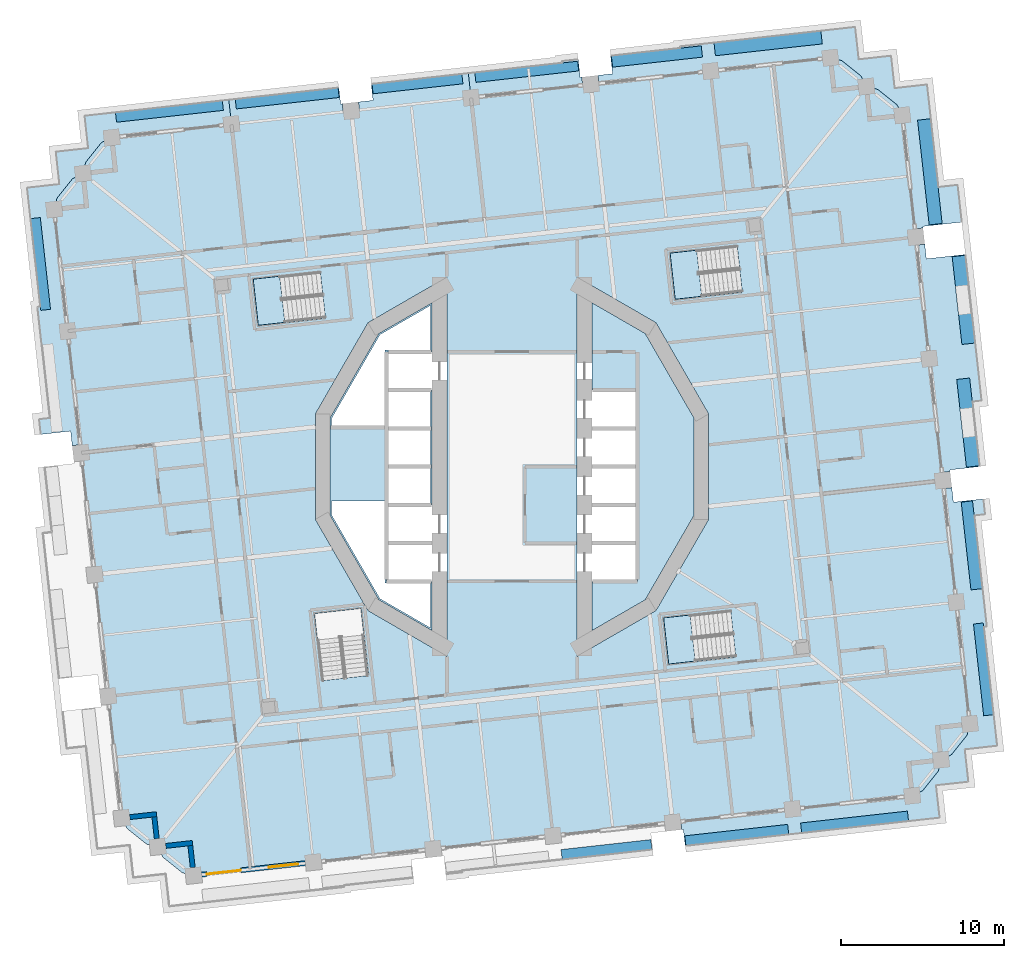
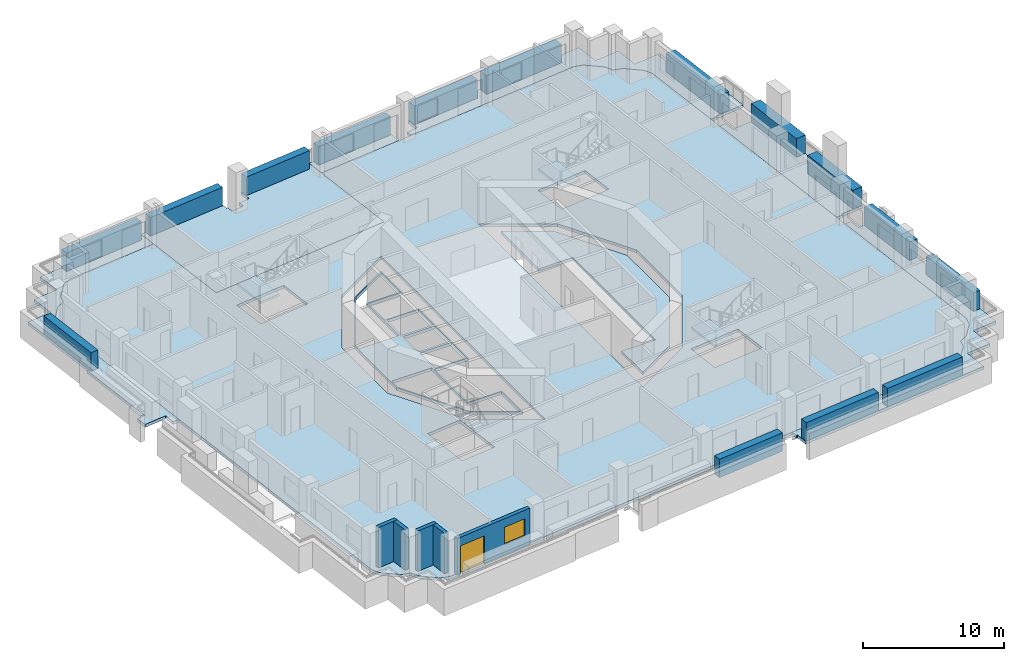
# One storey, part 3 of 19: 15 plates, 12 slabs, 5 walls, 1 door, 1 window, 2 openings, 3 elements without a shape of their own.
"""IFC4 building model written with IfcOpenShell, lengths in metres."""

from ifc_helpers import new_model, si_unit, direction, frame, frame_2d, origin, origin_2d, place, context, subcontext, project, spatial, polyline, rectangle, outline, extrude, material, layer, layer_set, type_object, element, fill, aggregate, save


model = new_model("IFC4")

# Units and contexts
model_context = context("Model", 3, precision=1e-05, world=origin(), true_north=direction((0.0, 1.0)))
body_context = subcontext(model_context, "Body", "Model", "MODEL_VIEW")
ifc_project = project(units=[si_unit("LENGTHUNIT", "METRE"), si_unit("AREAUNIT", "SQUARE_METRE"), si_unit("VOLUMEUNIT", "CUBIC_METRE"), si_unit("PLANEANGLEUNIT", "RADIAN"), si_unit("MASSUNIT", "GRAM", prefix="KILO")], contexts=[model_context])

# Site, building, storey
site_placement = place(None, origin())
site = spatial("IfcSite", under=ifc_project, at=site_placement, CompositionType="ELEMENT")
building_placement = place(site_placement, origin())
building = spatial("IfcBuilding", under=site, at=building_placement, Name="Cantera Rosa Tower", CompositionType="ELEMENT")
storey_placement = place(building_placement, frame((0.0, 0.0, 53.89990234375)))
storey = spatial("IfcBuildingStorey", under=building, at=storey_placement, Name="L10", CompositionType="ELEMENT", Elevation=53.89990234375)

# Slabs
ifc_material_1 = material(Name="Concrete C35/45", Category="concrete")
ifc_layer_1 = layer(ifc_material_1, 0.25)
ifc_layer_set_1 = layer_set([ifc_layer_1], Name="COMPOSITE FLOOR SLAB 250 C35/45")
slab_type_1 = type_object("IfcSlabType", Name="COMPOSITE FLOOR SLAB 250 C35/45", PredefinedType="FLOOR", material=ifc_layer_set_1)
slab_1_placement = place(storey_placement, frame((0.0, 0.0, -0.25)))
element("IfcSlab", 1, at=slab_1_placement, inside=storey, type_object=slab_type_1, Name="SLAB L10 floor 1", PredefinedType="FLOOR", context=body_context, shape_type="SweptSolid", body=[
    extrude(outline(polyline([(-4.89990234375, -10.07373046875), (-8.179931640625, -8.179931640625), (-11.174072265625, -2.994140625), (-11.174072265625, 2.994140625), (-8.179931640625, 8.179931640625), (-4.89990234375, 10.07373046875), (-4.89990234375, 7.050048828125), (-7.699951171875, 7.050048828125), (-7.699951171875, 4.699951171875), (-4.89990234375, 4.699951171875), (-4.89990234375, -2.35009765625), (-7.699951171875, -2.35009765625), (-7.699951171875, -4.699951171875), (-7.699951171875, -7.050048828125), (-4.89990234375, -7.050048828125), (-4.89990234375, -10.07373046875)]), holes=[polyline([(-7.800048828125, -7.14990234375), (-7.800048828125, -2.449951171875), (-7.800048828125, -2.25), (-7.800048828125, -2.11474609375), (-11.07421875, -2.11474609375), (-11.07421875, -2.96728515625), (-8.106689453125, -8.106689453125), (-5.0, -9.900390625), (-5.0, -7.14990234375), (-7.800048828125, -7.14990234375)]), polyline([(-5.0, -0.10009765625), (-7.60009765625, -0.10009765625), (-7.60009765625, -2.25), (-5.0, -2.25), (-5.0, -0.10009765625)]), polyline([(-5.0, 2.25), (-7.60009765625, 2.25), (-7.60009765625, 0.10009765625), (-5.0, 0.10009765625), (-5.0, 2.25)]), polyline([(-5.0, 2.449951171875), (-5.0, 4.60009765625), (-7.60009765625, 4.60009765625), (-7.60009765625, 2.449951171875), (-5.0, 2.449951171875)]), polyline([(-8.106689453125, 8.106689453125), (-11.07421875, 2.96728515625), (-11.07421875, 2.517578125), (-7.800048828125, 2.517578125), (-7.800048828125, 7.14990234375), (-5.0, 7.14990234375), (-5.0, 9.900390625), (-8.106689453125, 8.106689453125)])]), origin(), (0.0, 0.0, 1.0), 0.25),
])
slab_2_placement = place(storey_placement, frame((0.0, 0.0, -0.25)))
element("IfcSlab", 2, at=slab_2_placement, inside=storey, type_object=slab_type_1, Name="SLAB L10 floor 2", PredefinedType="FLOOR", context=body_context, shape_type="SweptSolid", body=[
    extrude(outline(polyline([(-21.415283203125, -23.999267578125), (-21.435302734375, -23.9775390625), (-21.453125, -23.9541015625), (-21.468505859375, -23.92919921875), (-21.7578125, -23.342529296875), (-22.393310546875, -23.18896484375), (-22.42138671875, -23.179443359375), (-22.447998046875, -23.1669921875), (-22.473388671875, -23.15234375), (-22.497314453125, -23.135009765625), (-23.6015625, -22.25146484375), (-23.62353515625, -22.23193359375), (-23.643798828125, -22.21044921875), (-23.66162109375, -22.18701171875), (-23.677001953125, -22.161865234375), (-23.96630859375, -21.575439453125), (-28.114013671875, 15.795166015625), (-27.960205078125, 16.4306640625), (-27.95068359375, 16.45849609375), (-27.9384765625, 16.4853515625), (-27.923583984375, 16.5107421875), (-27.906494140625, 16.53466796875), (-27.022705078125, 17.638916015625), (-27.00341796875, 17.660888671875), (-26.981689453125, 17.680908203125), (-26.958251953125, 17.69873046875), (-26.933349609375, 17.714111328125), (-26.3466796875, 18.00341796875), (-26.193115234375, 18.63916015625), (-26.18359375, 18.6669921875), (-26.17138671875, 18.693603515625), (-26.156494140625, 18.71923828125), (-26.139404296875, 18.742919921875), (-25.255615234375, 19.84716796875), (-25.236083984375, 19.869384765625), (-25.214599609375, 19.889404296875), (-25.191162109375, 19.9072265625), (-25.166015625, 19.922607421875), (-24.57958984375, 20.2119140625), (-17.224853515625, 21.0283203125), (-16.3974609375, 13.573974609375), (-1.687744140625, 15.20654296875), (-2.51513671875, 22.660888671875), (18.642578125, 25.00927734375), (19.54931640625, 25.10986328125), (20.18505859375, 24.9560546875), (20.212890625, 24.946533203125), (20.239501953125, 24.934326171875), (20.26513671875, 24.91943359375), (20.288818359375, 24.902099609375), (21.39306640625, 24.018798828125), (21.415283203125, 23.999267578125), (21.435302734375, 23.9775390625), (21.453125, 23.9541015625), (21.468505859375, 23.92919921875), (21.7578125, 23.342529296875), (22.393310546875, 23.18896484375), (22.42138671875, 23.179443359375), (22.447998046875, 23.1669921875), (22.473388671875, 23.15234375), (22.497314453125, 23.135009765625), (23.6015625, 22.25146484375), (23.62353515625, 22.23193359375), (23.643798828125, 22.21044921875), (23.66162109375, 22.18701171875), (23.677001953125, 22.161865234375), (23.96630859375, 21.575439453125), (28.114013671875, -15.795166015625), (27.960205078125, -16.4306640625), (27.95068359375, -16.45849609375), (27.9384765625, -16.4853515625), (27.923583984375, -16.5107421875), (27.906494140625, -16.53466796875), (27.022705078125, -17.638916015625), (27.00341796875, -17.660888671875), (26.981689453125, -17.680908203125), (26.958251953125, -17.69873046875), (26.933349609375, -17.714111328125), (26.3466796875, -18.00341796875), (26.193115234375, -18.63916015625), (26.18359375, -18.6669921875), (26.17138671875, -18.693603515625), (26.156494140625, -18.71923828125), (26.139404296875, -18.742919921875), (25.255615234375, -19.84716796875), (25.236083984375, -19.869384765625), (25.214599609375, -19.889404296875), (25.191162109375, -19.9072265625), (25.166015625, -19.922607421875), (24.57958984375, -20.2119140625), (-18.642578125, -25.00927734375), (-19.54931640625, -25.10986328125), (-20.18505859375, -24.9560546875), (-20.212890625, -24.946533203125), (-20.239501953125, -24.934326171875), (-20.26513671875, -24.91943359375), (-20.288818359375, -24.902099609375), (-21.39306640625, -24.018798828125), (-21.415283203125, -23.999267578125)]), holes=[polyline([(-12.11962890625, -9.02392578125), (-11.6630859375, -13.13671875), (-8.83056640625, -12.822265625), (-9.287109375, -8.709716796875), (-12.11962890625, -9.02392578125)]), polyline([(-12.07421875, -3.235107421875), (-8.8388671875, -8.8388671875), (-4.0, -11.632568359375), (-4.0, 11.632568359375), (-8.8388671875, 8.8388671875), (-12.07421875, 3.235107421875), (-12.07421875, -3.235107421875)]), polyline([(-15.575927734375, 8.680419921875), (-11.46337890625, 9.13671875), (-11.777587890625, 11.969482421875), (-15.890380859375, 11.512939453125), (-15.575927734375, 8.680419921875)]), polyline([(9.6240234375, -12.11962890625), (13.73681640625, -11.6630859375), (13.42236328125, -8.83056640625), (9.3095703125, -9.287109375), (9.6240234375, -12.11962890625)]), polyline([(12.07421875, 3.235107421875), (8.8388671875, 8.8388671875), (4.0, 11.632568359375), (4.0, -11.632568359375), (8.8388671875, -8.8388671875), (12.07421875, -3.235107421875), (12.07421875, 3.235107421875)]), polyline([(9.709716796875, 13.11279296875), (10.02392578125, 10.2802734375), (14.13671875, 10.73681640625), (13.822265625, 13.5693359375), (9.709716796875, 13.11279296875)])]), origin(), (0.0, 0.0, 1.0), 0.25),
])
slab_3_placement = place(storey_placement, frame((0.0, 0.0, -0.25)))
element("IfcSlab", 3, at=slab_3_placement, inside=storey, type_object=slab_type_1, Name="SLAB L10 floor 3", PredefinedType="FLOOR", context=body_context, shape_type="SweptSolid", body=[
    extrude(outline(polyline([(7.699951171875, 4.699951171875), (4.89990234375, 4.699951171875), (4.89990234375, 10.07373046875), (8.179931640625, 8.179931640625), (11.174072265625, 2.994140625), (11.174072265625, -2.994140625), (8.179931640625, -8.179931640625), (4.89990234375, -10.07373046875), (4.89990234375, -7.050048828125), (7.699951171875, -7.050048828125), (7.699951171875, -4.699951171875), (7.699951171875, -2.35009765625), (7.699951171875, 0.0), (7.699951171875, 2.35009765625), (7.699951171875, 4.699951171875)])), origin(), (0.0, 0.0, 1.0), 0.25),
])
ifc_material_2 = material(Name="Concrete C35/45", Category="concrete")
ifc_layer_2 = layer(ifc_material_2, 0.25)
ifc_layer_set_2 = layer_set([ifc_layer_2], Name="LOGGIA SLAB 250 C35/45")
slab_type_2 = type_object("IfcSlabType", Name="LOGGIA SLAB 250 C35/45", PredefinedType="FLOOR", material=ifc_layer_set_2)
slab_4_placement = place(storey_placement, frame((0.0, 0.0, -0.25)))
element("IfcSlab", 4, at=slab_4_placement, inside=storey, type_object=slab_type_2, Name="LOGGIA SLAB L10 2", PredefinedType="FLOOR", context=body_context, shape_type="SweptSolid", body=[
    extrude(outline(polyline([(-29.770263671875, 17.12060546875), (-28.279296875, 17.285888671875), (-27.782470703125, 17.341064453125), (-27.837646484375, 17.837890625), (-28.003173828125, 19.328857421875), (-26.51220703125, 19.494384765625), (-26.015380859375, 19.549560546875), (-26.070556640625, 20.04638671875), (-26.236083984375, 21.537353515625), (-24.7451171875, 21.702880859375), (-18.881103515625, 22.353515625), (-17.390380859375, 22.51904296875), (-17.224853515625, 21.0283203125), (-24.57958984375, 20.2119140625), (-25.166015625, 19.922607421875), (-25.191162109375, 19.9072265625), (-25.214599609375, 19.889404296875), (-25.236083984375, 19.869384765625), (-25.255615234375, 19.84716796875), (-26.139404296875, 18.742919921875), (-26.156494140625, 18.71923828125), (-26.17138671875, 18.693603515625), (-26.18359375, 18.6669921875), (-26.193115234375, 18.63916015625), (-26.3466796875, 18.00341796875), (-26.933349609375, 17.714111328125), (-26.958251953125, 17.69873046875), (-26.981689453125, 17.680908203125), (-27.00341796875, 17.660888671875), (-27.022705078125, 17.638916015625), (-27.906494140625, 16.53466796875), (-27.923583984375, 16.5107421875), (-27.9384765625, 16.4853515625), (-27.95068359375, 16.45849609375), (-27.960205078125, 16.4306640625), (-28.114013671875, 15.795166015625), (-26.510009765625, 1.34375), (-27.007080078125, 1.288818359375), (-27.106201171875, 2.18310546875), (-28.926025390625, 1.981201171875), (-29.02880859375, 2.906494140625), (-28.37744140625, 2.978759765625), (-29.134765625, 9.801513671875), (-28.960205078125, 9.821044921875), (-29.604736328125, 15.629638671875), (-29.770263671875, 17.12060546875)])), origin(), (0.0, 0.0, 1.0), 0.25),
])
slab_5_placement = place(storey_placement, frame((0.0, 0.0, -0.25)))
element("IfcSlab", 5, at=slab_5_placement, inside=storey, type_object=slab_type_2, Name="LOGGIA SLAB L10 4", PredefinedType="FLOOR", context=body_context, shape_type="SweptSolid", body=[
    extrude(outline(polyline([(4.188232421875, 23.907958984375), (4.28759765625, 23.9189453125), (4.3427734375, 23.422119140625), (-2.51513671875, 22.660888671875), (-2.6806640625, 24.151611328125), (-1.189697265625, 24.317138671875), (3.080078125, 24.791015625), (3.068603515625, 24.894287109375), (4.06640625, 25.005126953125), (4.188232421875, 23.907958984375)])), origin(), (0.0, 0.0, 1.0), 0.25),
])
slab_6_placement = place(storey_placement, frame((0.0, 0.0, -0.25)))
element("IfcSlab", 6, at=slab_6_placement, inside=storey, type_object=slab_type_2, Name="LOGGIA SLAB L10 6", PredefinedType="FLOOR", context=body_context, shape_type="SweptSolid", body=[
    extrude(outline(polyline([(21.272216796875, 24.999267578125), (21.5703125, 25.0322265625), (23.260009765625, 25.2197265625), (23.447509765625, 23.5302734375), (23.48046875, 23.23193359375), (23.77880859375, 23.26513671875), (25.46826171875, 23.45263671875), (25.65576171875, 21.762939453125), (26.1669921875, 17.15869140625), (27.34716796875, 17.289794921875), (27.599609375, 15.01611328125), (25.2265625, 14.752685546875), (25.237548828125, 14.653564453125), (24.740478515625, 14.598388671875), (23.96630859375, 21.575439453125), (23.677001953125, 22.161865234375), (23.66162109375, 22.18701171875), (23.643798828125, 22.21044921875), (23.62353515625, 22.23193359375), (23.6015625, 22.25146484375), (22.497314453125, 23.135009765625), (22.473388671875, 23.15234375), (22.447998046875, 23.1669921875), (22.42138671875, 23.179443359375), (22.393310546875, 23.18896484375), (21.7578125, 23.342529296875), (21.468505859375, 23.92919921875), (21.453125, 23.9541015625), (21.435302734375, 23.9775390625), (21.415283203125, 23.999267578125), (21.39306640625, 24.018798828125), (20.288818359375, 24.902099609375), (20.26513671875, 24.91943359375), (20.239501953125, 24.934326171875), (20.212890625, 24.946533203125), (20.18505859375, 24.9560546875), (19.54931640625, 25.10986328125), (18.642578125, 25.00927734375), (5.336669921875, 23.5322265625), (5.281494140625, 24.029296875), (6.176025390625, 24.12841796875), (6.05419921875, 25.2255859375), (10.327880859375, 25.699951171875), (10.3173828125, 25.795654296875), (19.36181640625, 26.79931640625), (21.051513671875, 26.98681640625), (21.239013671875, 25.29736328125), (21.272216796875, 24.999267578125)])), origin(), (0.0, 0.0, 1.0), 0.25),
])
slab_7_placement = place(storey_placement, frame((0.0, 0.0, -0.25)))
element("IfcSlab", 7, at=slab_7_placement, inside=storey, type_object=slab_type_2, Name="LOGGIA SLAB L10 7", PredefinedType="FLOOR", context=body_context, shape_type="SweptSolid", body=[
    extrude(outline(polyline([(29.770263671875, -17.12060546875), (28.279296875, -17.285888671875), (27.782470703125, -17.341064453125), (27.837646484375, -17.837890625), (28.003173828125, -19.328857421875), (26.51220703125, -19.494384765625), (26.015380859375, -19.549560546875), (26.070556640625, -20.04638671875), (26.236083984375, -21.537353515625), (24.7451171875, -21.702880859375), (18.881103515625, -22.353515625), (15.8994140625, -22.6845703125), (11.5263671875, -23.169921875), (10.6318359375, -23.269287109375), (10.521484375, -22.275390625), (10.422119140625, -22.286376953125), (10.366943359375, -21.789306640625), (24.57958984375, -20.2119140625), (25.166015625, -19.922607421875), (25.191162109375, -19.9072265625), (25.214599609375, -19.889404296875), (25.236083984375, -19.869384765625), (25.255615234375, -19.84716796875), (26.139404296875, -18.742919921875), (26.156494140625, -18.71923828125), (26.17138671875, -18.693603515625), (26.18359375, -18.6669921875), (26.193115234375, -18.63916015625), (26.3466796875, -18.00341796875), (26.933349609375, -17.714111328125), (26.958251953125, -17.69873046875), (26.981689453125, -17.680908203125), (27.00341796875, -17.660888671875), (27.022705078125, -17.638916015625), (27.906494140625, -16.53466796875), (27.923583984375, -16.5107421875), (27.9384765625, -16.4853515625), (27.95068359375, -16.45849609375), (27.960205078125, -16.4306640625), (28.114013671875, -15.795166015625), (26.510009765625, -1.34375), (27.007080078125, -1.288818359375), (27.106201171875, -2.18310546875), (28.926025390625, -1.981201171875), (29.02880859375, -2.906494140625), (28.37744140625, -2.978759765625), (29.134765625, -9.801513671875), (28.960205078125, -9.821044921875), (29.604736328125, -15.629638671875), (29.770263671875, -17.12060546875)])), origin(), (0.0, 0.0, 1.0), 0.25),
])
slab_8_placement = place(storey_placement, frame((0.0, 0.0, -0.25)))
element("IfcSlab", 8, at=slab_8_placement, inside=storey, type_object=slab_type_2, Name="LOGGIA SLAB L10 8", PredefinedType="FLOOR", context=body_context, shape_type="SweptSolid", body=[
    extrude(outline(polyline([(26.399658203125, -0.349853515625), (24.850830078125, 13.6044921875), (25.347900390625, 13.65966796875), (25.447265625, 12.764892578125), (27.8203125, 13.0283203125), (28.813720703125, 4.07568359375), (28.260498046875, 4.014404296875), (28.705322265625, 0.006591796875), (26.885498046875, -0.1953125), (26.896728515625, -0.294921875), (26.399658203125, -0.349853515625)])), origin(), (0.0, 0.0, 1.0), 0.25),
])

# Plates
ifc_material_3 = material(Name="Cantera stone planter with soil", Category="masonry")
plate_type_1 = type_object("IfcPlateType", Name="PLANTER 600", PredefinedType="USERDEFINED", material=ifc_material_3)
plate_1_placement = place(storey_placement, frame((28.94970703125, -12.447509765625, 0.0), z_axis=(0.0, 0.0, 1.0), x_axis=(-0.110312555526, 0.993896946415, 0.0)))
element("IfcPlate", 9, at=plate_1_placement, inside=storey, type_object=plate_type_1, Name="PLANTER L10-01", ObjectType="PLANTER", PredefinedType="USERDEFINED", context=body_context, shape_type="SweptSolid", body=[
    extrude(rectangle(XDim=5.669921875, YDim=0.60009765625, at=origin_2d()), origin(), (0.0, 0.0, 1.0), 1.60009765625),
])
plate_2_placement = place(storey_placement, frame((0.90576171875, 24.247802734375, 0.0), z_axis=(0.0, 0.0, 1.0), x_axis=(-0.993896946415, -0.110312555526, 0.0)))
element("IfcPlate", 10, at=plate_2_placement, inside=storey, type_object=plate_type_1, Name="PLANTER L10-08", ObjectType="PLANTER", PredefinedType="USERDEFINED", context=body_context, shape_type="SweptSolid", body=[
    extrude(rectangle(XDim=6.35009765625, YDim=0.60009765625, at=origin_2d()), origin(), (0.0, 0.0, 1.0), 1.60009765625),
])
plate_3_placement = place(storey_placement, frame((-5.80322265625, 23.503173828125, 0.0), z_axis=(0.0, 0.0, 1.0), x_axis=(-0.993896946415, -0.110312555526, 0.0)))
element("IfcPlate", 11, at=plate_3_placement, inside=storey, type_object=plate_type_1, Name="PLANTER L10-09", ObjectType="PLANTER", PredefinedType="USERDEFINED", context=body_context, shape_type="SweptSolid", body=[
    extrude(rectangle(XDim=5.550048828125, YDim=0.60009765625, at=origin_2d()), origin(), (0.0, 0.0, 1.0), 1.60009765625),
])
plate_4_placement = place(storey_placement, frame((-13.803955078125, 22.615234375, 0.0), z_axis=(0.0, 0.0, 1.0), x_axis=(-0.993896946415, -0.110312555526, 0.0)))
element("IfcPlate", 12, at=plate_4_placement, inside=storey, type_object=plate_type_1, Name="PLANTER L10-10", ObjectType="PLANTER", PredefinedType="USERDEFINED", context=body_context, shape_type="SweptSolid", body=[
    extrude(rectangle(XDim=6.35009765625, YDim=0.60009765625, at=origin_2d()), origin(), (0.0, 0.0, 1.0), 1.60009765625),
])
plate_5_placement = place(storey_placement, frame((-21.03466796875, 21.812744140625, 0.0), z_axis=(0.0, 0.0, 1.0), x_axis=(-0.993896946415, -0.110312555526, 0.0)))
element("IfcPlate", 13, at=plate_5_placement, inside=storey, type_object=plate_type_1, Name="PLANTER L10-11", ObjectType="PLANTER", PredefinedType="USERDEFINED", context=body_context, shape_type="SweptSolid", body=[
    extrude(rectangle(XDim=6.60009765625, YDim=0.60009765625, at=origin_2d()), origin(), (0.0, 0.0, 1.0), 1.60009765625),
])
plate_6_placement = place(storey_placement, frame((-28.94970703125, 12.447509765625, 0.0), z_axis=(0.0, 0.0, 1.0), x_axis=(0.110312555526, -0.993896946415, 0.0)))
element("IfcPlate", 14, at=plate_6_placement, inside=storey, type_object=plate_type_1, Name="PLANTER L10-12", ObjectType="PLANTER", PredefinedType="USERDEFINED", context=body_context, shape_type="SweptSolid", body=[
    extrude(rectangle(XDim=5.669921875, YDim=0.60009765625, at=origin_2d()), origin(), (0.0, 0.0, 1.0), 1.60009765625),
])
plate_7_placement = place(storey_placement, frame((5.80322265625, -23.503173828125, 0.0), z_axis=(0.0, 0.0, 1.0), x_axis=(0.993896946415, 0.110312555526, 0.0)))
element("IfcPlate", 15, at=plate_7_placement, inside=storey, type_object=plate_type_1, Name="PLANTER L10-20", ObjectType="PLANTER", PredefinedType="USERDEFINED", context=body_context, shape_type="SweptSolid", body=[
    extrude(rectangle(XDim=5.550048828125, YDim=0.60009765625, at=origin_2d()), origin(), (0.0, 0.0, 1.0), 1.60009765625),
])
plate_8_placement = place(storey_placement, frame((13.803955078125, -22.615234375, 0.0), z_axis=(0.0, 0.0, 1.0), x_axis=(0.993896946415, 0.110312555526, 0.0)))
element("IfcPlate", 16, at=plate_8_placement, inside=storey, type_object=plate_type_1, Name="PLANTER L10-21", ObjectType="PLANTER", PredefinedType="USERDEFINED", context=body_context, shape_type="SweptSolid", body=[
    extrude(rectangle(XDim=6.35009765625, YDim=0.60009765625, at=origin_2d()), origin(), (0.0, 0.0, 1.0), 1.60009765625),
])
plate_9_placement = place(storey_placement, frame((21.03466796875, -21.812744140625, 0.0), z_axis=(0.0, 0.0, 1.0), x_axis=(0.993896946415, 0.110312555526, 0.0)))
element("IfcPlate", 17, at=plate_9_placement, inside=storey, type_object=plate_type_1, Name="PLANTER L10-22", ObjectType="PLANTER", PredefinedType="USERDEFINED", context=body_context, shape_type="SweptSolid", body=[
    extrude(rectangle(XDim=6.60009765625, YDim=0.60009765625, at=origin_2d()), origin(), (0.0, 0.0, 1.0), 1.60009765625),
])
ifc_material_4 = material(Name="Cantera stone planter with soil", Category="masonry")
plate_type_2 = type_object("IfcPlateType", Name="PLANTER 700", PredefinedType="USERDEFINED", material=ifc_material_4)
plate_10_placement = place(storey_placement, frame((28.2314453125, -4.835205078125, 0.0), z_axis=(0.0, 0.0, 1.0), x_axis=(-0.110312555526, 0.993896946415, 0.0)))
element("IfcPlate", 18, at=plate_10_placement, inside=storey, type_object=plate_type_2, Name="PLANTER L10-02", ObjectType="PLANTER", PredefinedType="USERDEFINED", context=body_context, shape_type="SweptSolid", body=[
    extrude(rectangle(XDim=5.419921875, YDim=0.699951171875, at=origin_2d()), origin(), (0.0, 0.0, 1.0), 1.60009765625),
])
plate_11_placement = place(storey_placement, frame((8.900634765625, 25.189453125, 0.0), z_axis=(0.0, 0.0, 1.0), x_axis=(-0.993896946415, -0.110312555526, 0.0)))
element("IfcPlate", 19, at=plate_11_placement, inside=storey, type_object=plate_type_2, Name="PLANTER L10-07", ObjectType="PLANTER", PredefinedType="USERDEFINED", context=body_context, shape_type="SweptSolid", body=[
    extrude(rectangle(XDim=5.550048828125, YDim=0.699951171875, at=origin_2d()), origin(), (0.0, 0.0, 1.0), 1.60009765625),
])
ifc_material_5 = material(Name="Cantera stone planter with soil", Category="masonry")
plate_type_3 = type_object("IfcPlateType", Name="PLANTER 800", PredefinedType="USERDEFINED", material=ifc_material_5)
for number, where, z_axis, x_axis, name in (
    (20, (28.00341796875, 2.70556640625, 0.0), (0.0, 0.0, 1.0), (-0.110312555526, 0.993896946415, 0.0), "PLANTER L10-03"),
    (21, (27.72705078125, 10.2412109375, 0.0), (0.0, 0.0, 1.0), (-0.110312555526, 0.993896946415, 0.0), "PLANTER L10-04"),
):
    element("IfcPlate", number, at=place(storey_placement, frame(where, z_axis=z_axis, x_axis=x_axis)), inside=storey, type_object=plate_type_3, Name=name, ObjectType="PLANTER", PredefinedType="USERDEFINED", context=body_context, shape_type="SweptSolid", body=[
        extrude(rectangle(XDim=5.419921875, YDim=0.800048828125, at=origin_2d()), origin(), (0.0, 0.0, 1.0), 1.60009765625),
    ])
plate_12_placement = place(storey_placement, frame((25.6591796875, 18.10595703125, 0.0), z_axis=(0.0, 0.0, 1.0), x_axis=(-0.110312555526, 0.993896946415, 0.0)))
element("IfcPlate", 22, at=plate_12_placement, inside=storey, type_object=plate_type_3, Name="PLANTER L10-05", ObjectType="PLANTER", PredefinedType="USERDEFINED", context=body_context, shape_type="SweptSolid", body=[
    extrude(rectangle(XDim=6.469970703125, YDim=0.800048828125, at=origin_2d()), origin(), (0.0, 0.0, 1.0), 1.60009765625),
])
plate_13_placement = place(storey_placement, frame((15.728515625, 25.99365234375, 0.0), z_axis=(0.0, 0.0, 1.0), x_axis=(-0.993896946415, -0.110312555526, 0.0)))
element("IfcPlate", 23, at=plate_13_placement, inside=storey, type_object=plate_type_3, Name="PLANTER L10-06", ObjectType="PLANTER", PredefinedType="USERDEFINED", context=body_context, shape_type="SweptSolid", body=[
    extrude(rectangle(XDim=6.60009765625, YDim=0.800048828125, at=origin_2d()), origin(), (0.0, 0.0, 1.0), 1.60009765625),
])

# Stair, slab
ifc_material_6 = material(Name="Concrete C35/45", Category="concrete")
stair_type = type_object("IfcStairType", Name="EXIT STAIR 1350 DOGLEG", PredefinedType="HALF_TURN_STAIR", material=ifc_material_6)
stair_1_placement = place(storey_placement, origin())
stair_1 = element("IfcStair", 24, at=stair_1_placement, inside=storey, type_object=stair_type, Name="L10 ST-11", PredefinedType="HALF_TURN_STAIR")
ifc_material_7 = material(Name="Concrete C35/45", Category="concrete")
ifc_layer_3 = layer(ifc_material_7, 0.199951171875)
ifc_layer_set_3 = layer_set([ifc_layer_3], Name="STAIR LANDING 200")
slab_type_3 = type_object("IfcSlabType", Name="STAIR LANDING 200", PredefinedType="LANDING", material=ifc_layer_set_3)
slab_9_placement = place(storey_placement, frame((0.0, 0.0, 1.7001953125)))
slab_9 = element("IfcSlab", 25, at=slab_9_placement, type_object=slab_type_3, Name="ST-11 landing 1", PredefinedType="LANDING", context=body_context, shape_type="SweptSolid", body=[
    extrude(outline(polyline([(11.341552734375, 13.294189453125), (9.70947265625, 13.113037109375), (10.02392578125, 10.2802734375), (11.656005859375, 10.46142578125), (11.341552734375, 13.294189453125)])), origin(), (0.0, 0.0, 1.0), 0.199951171875),
])
aggregate(stair_1, [slab_9])

stair_2_placement = place(storey_placement, origin())
stair_2 = element("IfcStair", 26, at=stair_2_placement, inside=storey, type_object=stair_type, Name="L10 ST-12", PredefinedType="HALF_TURN_STAIR")
slab_10_placement = place(storey_placement, frame((0.0, 0.0, 1.7001953125)))
slab_10 = element("IfcSlab", 27, at=slab_10_placement, type_object=slab_type_3, Name="ST-12 landing 1", PredefinedType="LANDING", context=body_context, shape_type="SweptSolid", body=[
    extrude(outline(polyline([(-14.258544921875, 11.694091796875), (-15.890380859375, 11.512939453125), (-15.575927734375, 8.680419921875), (-13.944091796875, 8.861572265625), (-14.258544921875, 11.694091796875)])), origin(), (0.0, 0.0, 1.0), 0.199951171875),
])
aggregate(stair_2, [slab_10])

stair_3_placement = place(storey_placement, origin())
stair_3 = element("IfcStair", 28, at=stair_3_placement, inside=storey, type_object=stair_type, Name="L10 ST-14", PredefinedType="HALF_TURN_STAIR")
slab_11_placement = place(storey_placement, frame((0.0, 0.0, 1.7001953125)))
slab_11 = element("IfcSlab", 29, at=slab_11_placement, type_object=slab_type_3, Name="ST-14 landing 1", PredefinedType="LANDING", context=body_context, shape_type="SweptSolid", body=[
    extrude(outline(polyline([(10.941650390625, -9.10595703125), (9.3095703125, -9.287109375), (9.6240234375, -12.11962890625), (11.255859375, -11.9384765625), (10.941650390625, -9.10595703125)])), origin(), (0.0, 0.0, 1.0), 0.199951171875),
])
aggregate(stair_3, [slab_11])

# Slab
ifc_material_8 = material(Name="Concrete C35/45", Category="concrete")
ifc_layer_4 = layer(ifc_material_8, 0.25)
ifc_layer_set_4 = layer_set([ifc_layer_4], Name="TERRACE SLAB 250 C35/45")
slab_type_4 = type_object("IfcSlabType", Name="TERRACE SLAB 250 C35/45", PredefinedType="FLOOR", material=ifc_layer_set_4)
slab_12_placement = place(storey_placement, frame((0.0, 0.0, -0.25)))
element("IfcSlab", 30, at=slab_12_placement, inside=storey, type_object=slab_type_4, Name="TERRACE SLAB L10 1", PredefinedType="FLOOR", context=body_context, shape_type="SweptSolid", body=[
    extrude(outline(polyline([(-9.373046875, 21.899658203125), (-9.42822265625, 22.396484375), (-8.53369140625, 22.495849609375), (-8.64404296875, 23.48974609375), (-8.544677734375, 23.5009765625), (-4.17138671875, 23.986083984375), (-2.6806640625, 24.151611328125), (-2.51513671875, 22.660888671875), (-1.687744140625, 15.20654296875), (-16.3974609375, 13.573974609375), (-17.224853515625, 21.0283203125), (-17.390380859375, 22.51904296875), (-15.8994140625, 22.6845703125), (-11.5263671875, 23.169921875), (-10.6318359375, 23.269287109375), (-10.521484375, 22.275390625), (-10.422119140625, 22.286376953125), (-10.366943359375, 21.789306640625), (-9.702880859375, 21.863037109375), (-9.373046875, 21.899658203125)])), origin(), (0.0, 0.0, 1.0), 0.25),
])

# Walls
ifc_material_9 = material(Name="Hollow clay masonry with cantera stone cladding", Category="masonry")
ifc_layer_5 = layer(ifc_material_9, 0.300048828125)
ifc_layer_set_5 = layer_set([ifc_layer_5], Name="EW-LOGGIA 300")
wall_type_1 = type_object("IfcWallType", Name="EW-LOGGIA 300", PredefinedType="SOLIDWALL", material=ifc_layer_set_5)
wall_1_placement = place(storey_placement, frame((-23.46923828125, -21.520263671875, 0.0), z_axis=(0.0, 0.0, 1.0), x_axis=(0.993905369514, 0.110236638423, 0.0)))
element("IfcWall", 31, at=wall_1_placement, inside=storey, type_object=wall_type_1, Name="EN-L10-W21a", PredefinedType="SOLIDWALL", context=body_context, shape_type="SweptSolid", body=[
    extrude(rectangle(XDim=1.64990234375, YDim=0.300048828125, at=frame_2d((0.824951171875, 0.0))), origin(), (0.0, 0.0, 1.0), 3.5),
])
wall_2_placement = place(storey_placement, frame((-21.9619140625, -21.50390625, 0.0), z_axis=(0.0, 0.0, 1.0), x_axis=(0.110312435488, -0.993896959738, 0.0)))
element("IfcWall", 32, at=wall_2_placement, inside=storey, type_object=wall_type_1, Name="EN-L10-W21b", PredefinedType="SOLIDWALL", context=body_context, shape_type="SweptSolid", body=[
    extrude(rectangle(XDim=1.35009765625, YDim=0.300048828125, at=frame_2d((0.675048828125, 0.0))), origin(), (0.0, 0.0, 1.0), 3.5),
])
wall_3_placement = place(storey_placement, frame((-21.2607421875, -23.287353515625, 0.0), z_axis=(0.0, 0.0, 1.0), x_axis=(0.993905369514, 0.110236638423, 0.0)))
element("IfcWall", 33, at=wall_3_placement, inside=storey, type_object=wall_type_1, Name="EN-L10-W22a", PredefinedType="SOLIDWALL", context=body_context, shape_type="SweptSolid", body=[
    extrude(rectangle(XDim=1.64990234375, YDim=0.300048828125, at=frame_2d((0.824951171875, 0.0))), origin(), (0.0, 0.0, 1.0), 3.5),
])
wall_4_placement = place(storey_placement, frame((-19.75341796875, -23.27099609375, 0.0), z_axis=(0.0, 0.0, 1.0), x_axis=(0.110312435488, -0.993896959738, 0.0)))
element("IfcWall", 34, at=wall_4_placement, inside=storey, type_object=wall_type_1, Name="EN-L10-W22b", PredefinedType="SOLIDWALL", context=body_context, shape_type="SweptSolid", body=[
    extrude(rectangle(XDim=1.35009765625, YDim=0.300048828125, at=frame_2d((0.675048828125, 0.0))), origin(), (0.0, 0.0, 1.0), 3.5),
])

# Wall, openings, window, door
ifc_material_10 = material(Name="Hollow clay masonry with cantera stone cladding", Category="masonry")
ifc_layer_6 = layer(ifc_material_10, 0.300048828125)
ifc_layer_set_6 = layer_set([ifc_layer_6], Name="EW-LOGGIA 300 H3140")
wall_type_2 = type_object("IfcWallType", Name="EW-LOGGIA 300 H3140", PredefinedType="SOLIDWALL", material=ifc_layer_set_6)
wall_5_placement = place(storey_placement, frame((-19.052490234375, -25.0546875, 0.0), z_axis=(0.0, 0.0, 1.0), x_axis=(0.993896288542, 0.110318482689, 0.0)))
wall_5 = element("IfcWall", 35, at=wall_5_placement, inside=storey, type_object=wall_type_2, Name="EN-L10-W23", PredefinedType="SOLIDWALL", context=body_context, shape_type="SweptSolid", body=[
    extrude(rectangle(XDim=6.400146484375, YDim=0.300048828125, at=frame_2d((3.2001953125, 0.0))), origin(), (0.0, 0.0, 1.0), 3.14013671875),
])
opening_1_placement = place(wall_5_placement, frame((0.300048828125, 0.0, 0.0)))
opening_1 = element("IfcOpeningElement", 36, at=opening_1_placement, cuts=wall_5, Name="Opening L10-TD29", PredefinedType="OPENING", context=body_context, shape_type="SweptSolid", body=[
    extrude(rectangle(XDim=2.10009765625, YDim=2.39990234375, at=frame_2d((1.050048828125, 1.199951171875))), frame((0.0, 0.159912109375, 0.0), z_axis=(0.0, -1.0, 0.0), x_axis=(1.0, 0.0, 0.0)), (0.0, 0.0, 1.0), 0.320068359375),
])
opening_2_placement = place(wall_5_placement, frame((4.14990234375, 0.0, 0.89990234375)))
opening_2 = element("IfcOpeningElement", 37, at=opening_2_placement, cuts=wall_5, Name="Opening L10-W30", PredefinedType="OPENING", context=body_context, shape_type="SweptSolid", body=[
    extrude(rectangle(XDim=1.800048828125, YDim=1.5, at=frame_2d((0.89990234375, 0.75))), frame((0.0, 0.159912109375, 0.0), z_axis=(0.0, -1.0, 0.0), x_axis=(1.0, 0.0, 0.0)), (0.0, 0.0, 1.0), 0.320068359375),
])
ifc_material_11 = material(Name="Aluminium frame with clear glass", Category="aluminium")
window_type = type_object("IfcWindowType", Name="Hotel room window 1800x1500", PartitioningType="DOUBLE_PANEL_VERTICAL", PredefinedType="WINDOW", material=ifc_material_11)
window_placement = place(opening_2_placement, origin())
window = element("IfcWindow", 38, at=window_placement, inside=storey, type_object=window_type, Name="WINDOW L10-W30", OverallHeight=1.5, OverallWidth=1.800048828125, PartitioningType="SINGLE_PANEL", PredefinedType="WINDOW", context=body_context, shape_type="SweptSolid", body=[
    extrude(rectangle(XDim=1.800048828125, YDim=1.5, at=frame_2d((0.89990234375, 0.75))), frame((0.0, 0.030029296875, 0.0), z_axis=(0.0, -1.0, 0.0), x_axis=(1.0, 0.0, 0.0)), (0.0, 0.0, 1.0), 0.06005859375),
])
fill(opening_2, window)
ifc_material_12 = material(Name="Aluminium frame with clear glass", Category="aluminium")
door_type = type_object("IfcDoorType", Name="TD-H 2100x2400", OperationType="NOTDEFINED", PredefinedType="DOOR", material=ifc_material_12)
door_placement = place(opening_1_placement, origin())
door = element("IfcDoor", 39, at=door_placement, inside=storey, type_object=door_type, Name="LOGGIA DOOR L10-TD29", OperationType="SLIDING_TO_LEFT", OverallHeight=2.39990234375, OverallWidth=2.10009765625, PredefinedType="DOOR", context=body_context, shape_type="SweptSolid", body=[
    extrude(rectangle(XDim=2.10009765625, YDim=2.39990234375, at=frame_2d((1.050048828125, 1.199951171875))), frame((0.0, 0.02490234375, 0.0), z_axis=(0.0, -1.0, 0.0), x_axis=(1.0, 0.0, 0.0)), (0.0, 0.0, 1.0), 0.050048828125),
])
fill(opening_1, door)

save(model, "model.ifc")
